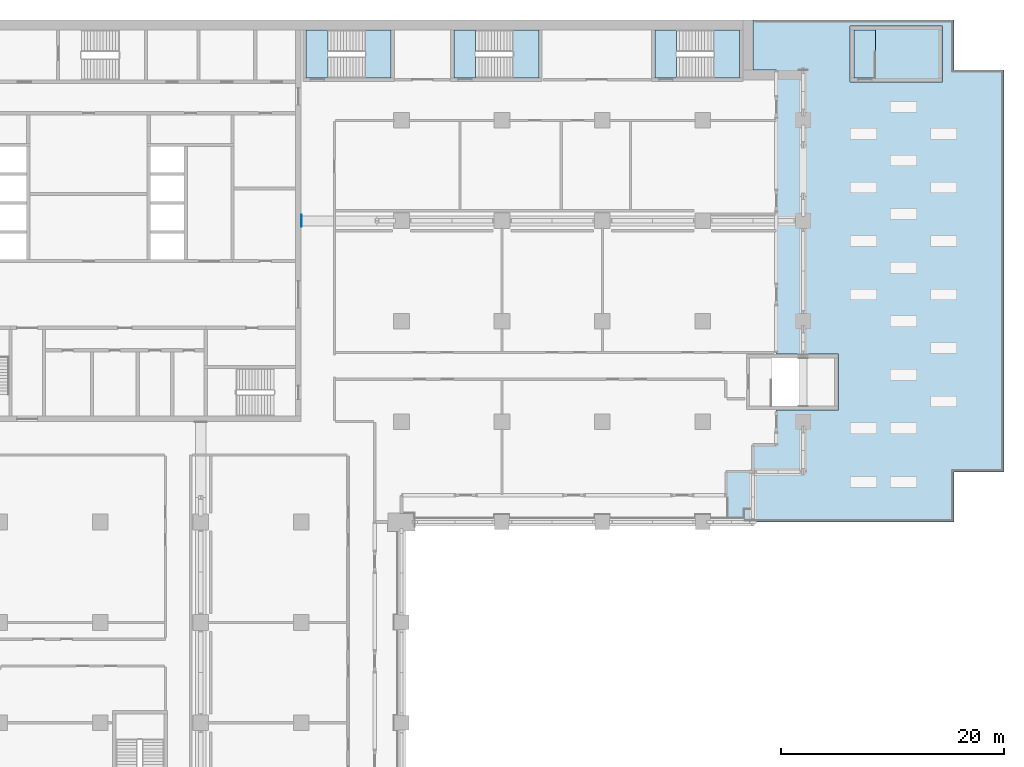
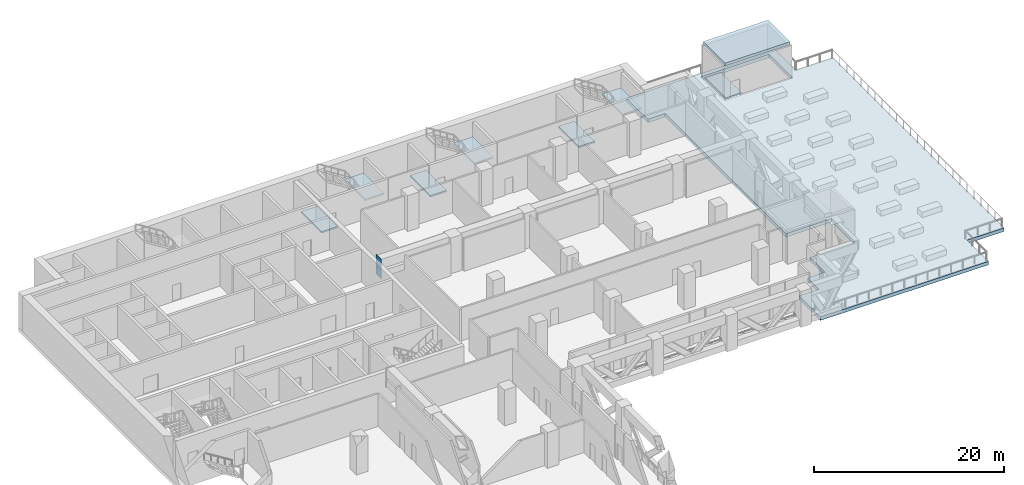
# One storey, part 7 of 24: 9 slabs, 2 plates, 3 elements without a shape of their own.
"""IFC4 building model written with IfcOpenShell, lengths in metres."""

import ifcopenshell
import ifcopenshell.guid

model = None  # the IFC model being written
_history = None  # IfcOwnerHistory: only IFC2X3 demands one
_inside = {}  # id of a spatial element -> (the spatial element, [elements in it])
_under = {}  # id of a project, library or spatial element -> (it, [spatial elements below it])
_declared = {}  # id of a project -> (the project, [libraries it declares])
_typed = {}  # id of a type object -> (the type object, [elements of that type])
_made_of = {}  # id of a material, layer set ... -> (it, [elements and type objects made of it])


def new_model(schema):
    """Start an empty IFC model of exactly this schema.

    Asked for "IFC4X3", IfcOpenShell would pick the latest addendum, in which some entities
    have other attributes; the version numbers below select the first issue.
    IFC2X3 requires an IfcOwnerHistory on every rooted entity: one is made here for all.
    """
    global model, _history
    if schema == "IFC4X3":
        model = ifcopenshell.file(schema_version=(4, 3, 0, 0))
    else:
        model = ifcopenshell.file(schema=schema)
    _inside.clear()
    _under.clear()
    _declared.clear()
    _typed.clear()
    _made_of.clear()
    _history = None
    if model.schema == "IFC2X3":
        org = make("IfcOrganization", Name="unknown")
        user = make(
            "IfcPersonAndOrganization",
            ThePerson=make("IfcPerson", FamilyName="unknown"),
            TheOrganization=org,
        )
        app = make(
            "IfcApplication",
            ApplicationDeveloper=org,
            Version="unknown",
            ApplicationFullName="unknown",
            ApplicationIdentifier="unknown",
        )
        _history = make(
            "IfcOwnerHistory",
            OwningUser=user,
            OwningApplication=app,
            ChangeAction="ADDED",
            CreationDate=0,
        )
    return model


def make(cls, **values):
    """One entity of the class cls with the attributes given. An attribute that is None is left unset."""
    return model.create_entity(
        cls, **{name: value for name, value in values.items() if value is not None}
    )


def rooted(cls, **values):
    """An entity with a GlobalId (a new one), such as an element, a storey or a relation."""
    return make(cls, GlobalId=ifcopenshell.guid.new(), OwnerHistory=_history, **values)


def si_unit(unit_type, name, prefix=None):
    """IfcSIUnit, for example si_unit("LENGTHUNIT", "METRE", prefix="MILLI")."""
    return make("IfcSIUnit", UnitType=unit_type, Prefix=prefix, Name=name)


def assignment(units):
    """IfcUnitAssignment: the units of a project."""
    return None if units is None else make("IfcUnitAssignment", Units=units)


def point(xyz):
    """IfcCartesianPoint."""
    return None if xyz is None else make("IfcCartesianPoint", Coordinates=xyz)


def direction(xyz):
    """IfcDirection."""
    return None if xyz is None else make("IfcDirection", DirectionRatios=xyz)


def frame(location, z_axis=None, x_axis=None):
    """IfcAxis2Placement3D, a coordinate frame: its origin and axes. An axis left out is left unset."""
    return make(
        "IfcAxis2Placement3D",
        Location=point(location),
        Axis=direction(z_axis),
        RefDirection=direction(x_axis),
    )


def frame_2d(location, x_axis=None):
    """IfcAxis2Placement2D, a coordinate frame in the plane: its origin and x axis."""
    return make(
        "IfcAxis2Placement2D", Location=point(location), RefDirection=direction(x_axis)
    )


def origin():
    """The frame at (0, 0, 0) with its axes left unset."""
    return frame((0.0, 0.0, 0.0))


def origin_2d():
    """The frame at (0, 0) in the plane with its x axis left unset."""
    return frame_2d((0.0, 0.0))


def place(relative_to, where):
    """IfcLocalPlacement: puts the frame where relative to a parent placement (None: the world)."""
    return make(
        "IfcLocalPlacement", PlacementRelTo=relative_to, RelativePlacement=where
    )


def context(
    kind, dimensions, precision=None, world=None, true_north=None, identifier=None
):
    """IfcGeometricRepresentationContext, for example the 3D "Model" context."""
    return make(
        "IfcGeometricRepresentationContext",
        ContextIdentifier=identifier,
        ContextType=kind,
        CoordinateSpaceDimension=dimensions,
        Precision=precision,
        WorldCoordinateSystem=world,
        TrueNorth=true_north,
    )


def subcontext(parent, identifier, kind, view, scale=None):
    """IfcGeometricRepresentationSubContext, for example "Body" below "Model"."""
    return make(
        "IfcGeometricRepresentationSubContext",
        ContextIdentifier=identifier,
        ContextType=kind,
        ParentContext=parent,
        TargetScale=scale,
        TargetView=view,
    )


def project(units=None, contexts=None):
    """IfcProject with its units and contexts."""
    return rooted(
        "IfcProject",
        Name="project",
        RepresentationContexts=contexts,
        UnitsInContext=assignment(units),
    )


def spatial(cls, under=None, at=None, **own):
    """A site, building, storey or space (cls), placed at a placement, below another one or the project."""
    s = rooted(cls, ObjectPlacement=at, **own)
    if under is not None:
        _under.setdefault(under.id(), (under, []))[1].append(s)
    return s


def polyline(points):
    """IfcPolyline through the points."""
    return make("IfcPolyline", Points=[point(p) for p in points])


def profile(cls, at=None, kind="AREA", **sizes):
    """A parametric profile (cls). Its sizes go by their IFC names, for example OverallWidth=200.0."""
    return make(cls, ProfileType=kind, Position=at, **sizes)


def rectangle(**sizes):
    """IfcRectangleProfileDef."""
    return profile("IfcRectangleProfileDef", **sizes)


def outline(outer, holes=None, kind="AREA"):
    """IfcArbitraryClosedProfileDef: a profile drawn as a closed curve; with holes, ...WithVoids."""
    if holes is None:
        return make("IfcArbitraryClosedProfileDef", ProfileType=kind, OuterCurve=outer)
    return make(
        "IfcArbitraryProfileDefWithVoids",
        ProfileType=kind,
        OuterCurve=outer,
        InnerCurves=holes,
    )


def extrude(swept, where, along, depth):
    """IfcExtrudedAreaSolid: the profile swept, set in the frame where, extruded along a direction by depth."""
    return make(
        "IfcExtrudedAreaSolid",
        SweptArea=swept,
        Position=where,
        ExtrudedDirection=direction(along),
        Depth=depth,
    )


def shape(context_of_items, identifier, shape_type, items):
    """IfcShapeRepresentation: the items that make up one representation, for example the "Body"."""
    return make(
        "IfcShapeRepresentation",
        ContextOfItems=context_of_items,
        RepresentationIdentifier=identifier,
        RepresentationType=shape_type,
        Items=items,
    )


def material(Name=None, Category=None):
    """IfcMaterial."""
    return make("IfcMaterial", Name=Name, Category=Category)


def layer(
    of_material, thickness, ventilated=None, Name=None, Category=None, Priority=None
):
    """IfcMaterialLayer: one layer of a wall or slab, of a material (None: an air gap)."""
    return make(
        "IfcMaterialLayer",
        Material=of_material,
        LayerThickness=thickness,
        IsVentilated=ventilated,
        Name=Name,
        Category=Category,
        Priority=Priority,
    )


def layer_set(layers, Name=None):
    """IfcMaterialLayerSet."""
    return make("IfcMaterialLayerSet", MaterialLayers=layers, LayerSetName=Name)


def made_of(thing, what):
    """Note that an element or type object is made of a material, layer set ...; save() writes the relation."""
    if what is not None:
        _made_of.setdefault(what.id(), (what, []))[1].append(thing)
    return thing


def type_object(cls, material=None, **own):
    """A type object (cls), such as IfcWallType, which elements share."""
    return made_of(rooted(cls, **own), material)


def element(
    cls,
    number,
    at=None,
    inside=None,
    cuts=None,
    type_object=None,
    material=None,
    context=None,
    identifier="Body",
    shape_type=None,
    held_by="IfcProductDefinitionShape",
    body=None,
    shapes=None,
    **own,
):
    """One element of the class cls, such as IfcWall. Its Tag is "e" and its number.

    at: its placement. inside: the storey or other place that contains it. cuts: it is an
    opening in that element (IfcRelVoidsElement). A single representation is given by context,
    identifier, shape_type and body (its items); several are given by shapes. held_by: the class
    of the entity that holds the representations. save() writes the other relations.
    """
    e = rooted(cls, Tag="e%d" % number, ObjectPlacement=at, **own)
    if body is not None:
        shapes = [shape(context, identifier, shape_type, body)]
    if shapes is not None:
        e.Representation = make(held_by, Representations=shapes)
    if inside is not None:
        _inside.setdefault(inside.id(), (inside, []))[1].append(e)
    if cuts is not None:
        rooted(
            "IfcRelVoidsElement", RelatingBuildingElement=cuts, RelatedOpeningElement=e
        )
    if type_object is not None:
        _typed.setdefault(type_object.id(), (type_object, []))[1].append(e)
    return made_of(e, material)


def aggregate(whole, parts):
    """IfcRelAggregates: a whole, such as a stair, and the parts it consists of."""
    return rooted("IfcRelAggregates", RelatingObject=whole, RelatedObjects=parts)


def save(model, path):
    """Write the relations noted so far, then the file.

    IfcRelAggregates (storeys below a building ...), IfcRelContainedInSpatialStructure (elements
    in a storey), IfcRelDefinesByType, IfcRelAssociatesMaterial and IfcRelDeclares: one each for
    every whole, place, type object, material and project.
    """
    for whole, parts in _under.values():
        aggregate(whole, parts)
    for where, things in _inside.values():
        rooted(
            "IfcRelContainedInSpatialStructure",
            RelatedElements=things,
            RelatingStructure=where,
        )
    for kind, things in _typed.values():
        rooted("IfcRelDefinesByType", RelatedObjects=things, RelatingType=kind)
    for what, things in _made_of.values():
        rooted("IfcRelAssociatesMaterial", RelatedObjects=things, RelatingMaterial=what)
    for by, libraries in _declared.values():
        rooted("IfcRelDeclares", RelatingContext=by, RelatedDefinitions=libraries)
    model.write(path)


model = new_model("IFC4")

# Units and contexts
model_context = context("Model", 3, precision=1e-05, world=origin(), true_north=direction((0.0, 1.0)))
body_context = subcontext(model_context, "Body", "Model", "MODEL_VIEW")
ifc_project = project(units=[si_unit("LENGTHUNIT", "METRE"), si_unit("AREAUNIT", "SQUARE_METRE"), si_unit("VOLUMEUNIT", "CUBIC_METRE"), si_unit("PLANEANGLEUNIT", "RADIAN"), si_unit("MASSUNIT", "GRAM", prefix="KILO")], contexts=[model_context])

# Site, building, storey
site_placement = place(None, origin())
site = spatial("IfcSite", under=ifc_project, at=site_placement, CompositionType="ELEMENT")
building_placement = place(site_placement, origin())
building = spatial("IfcBuilding", under=site, at=building_placement, Name="Hunhe Ridgeline Campus", CompositionType="ELEMENT")
storey_placement = place(building_placement, frame((0.0, 0.0, 80.199951171875)))
storey = spatial("IfcBuildingStorey", under=building, at=storey_placement, Name="L19", CompositionType="ELEMENT", Elevation=80.199951171875)

# Plates
ifc_material_1 = material(Name="Steel Q420", Category="steel")
ifc_layer_1 = layer(ifc_material_1, 0.0400390625)
ifc_layer_set_1 = layer_set([ifc_layer_1], Name="Cast-in plate 1100x1000x40 Steel Q420")
plate_type_1 = type_object("IfcPlateType", Name="Cast-in plate 1100x1000x40 Steel Q420", PredefinedType="SHEET", material=ifc_layer_set_1)
plate_1_placement = place(storey_placement, frame((36.02001953125, 81.0, 2.199951171875), z_axis=(0.0, 0.0, 1.0), x_axis=(1.0, 0.0, 0.0)))
element("IfcPlate", 1, at=plate_1_placement, inside=storey, type_object=plate_type_1, Name="Cast-in plate OR1 bottom chord L19", PredefinedType="SHEET", context=body_context, shape_type="SweptSolid", body=[
    extrude(rectangle(XDim=0.0400390625, YDim=1.10009765625, at=origin_2d()), origin(), (0.0, 0.0, 1.0), 1.0),
])
ifc_layer_2 = layer(ifc_material_1, 0.0400390625)
ifc_layer_set_2 = layer_set([ifc_layer_2], Name="Cast-in plate 1100x1400x40 Steel Q420")
plate_type_2 = type_object("IfcPlateType", Name="Cast-in plate 1100x1400x40 Steel Q420", PredefinedType="SHEET", material=ifc_layer_set_2)
plate_2_placement = place(storey_placement, frame((36.02001953125, 81.0, 3.300048828125), z_axis=(0.0, 0.0, 1.0), x_axis=(1.0, 0.0, 0.0)))
element("IfcPlate", 2, at=plate_2_placement, inside=storey, type_object=plate_type_2, Name="Cast-in plate OR1 top chord L19", PredefinedType="SHEET", context=body_context, shape_type="SweptSolid", body=[
    extrude(rectangle(XDim=0.0400390625, YDim=1.10009765625, at=origin_2d()), origin(), (0.0, 0.0, 1.0), 1.39990234375),
])

# Slab
ifc_material_2 = material(Name="Concrete C40", Category="concrete")
ifc_layer_3 = layer(ifc_material_2, 0.35009765625)
ifc_layer_set_3 = layer_set([ifc_layer_3], Name="Reinforced concrete stair head roof slab Concrete C40")
slab_type_1 = type_object("IfcSlabType", Name="Reinforced concrete stair head roof slab Concrete C40", PredefinedType="ROOF", material=ifc_layer_set_3)
slab_1_placement = place(storey_placement, frame((0.0, 0.0, 4.199951171875)))
element("IfcSlab", 3, at=slab_1_placement, inside=storey, type_object=slab_type_1, Name="Stair E4 head roof", PredefinedType="ROOF", context=body_context, shape_type="SweptSolid", body=[
    extrude(outline(polyline([(85.39990234375, 98.25), (93.300048828125, 98.25), (93.300048828125, 93.64990234375), (85.39990234375, 93.64990234375), (85.39990234375, 98.25)])), origin(), (0.0, 0.0, 1.0), 0.400146484375),
])

# Stair, slab
stair_type = type_object("IfcStairType", Name="Reinforced concrete dog-leg stair 1950 Concrete C40", PredefinedType="HALF_TURN_STAIR", material=ifc_material_2)
stair_1_placement = place(storey_placement, origin())
stair_1 = element("IfcStair", 4, at=stair_1_placement, inside=storey, type_object=stair_type, Name="L19 E1", PredefinedType="HALF_TURN_STAIR")
ifc_layer_4 = layer(ifc_material_2, 0.199951171875)
ifc_layer_set_4 = layer_set([ifc_layer_4], Name="Reinforced concrete stair landing 200 Concrete C40")
slab_type_2 = type_object("IfcSlabType", Name="Reinforced concrete stair landing 200 Concrete C40", PredefinedType="LANDING", material=ifc_layer_set_4)
slab_2_placement = place(storey_placement, frame((0.0, 0.0, 2.10009765625)))
slab_2 = element("IfcSlab", 5, at=slab_2_placement, type_object=slab_type_2, Name="ST5 landing 1", PredefinedType="LANDING", context=body_context, shape_type="SweptSolid", body=[
    extrude(outline(polyline([(41.760009765625, 93.800048828125), (44.050048828125, 93.800048828125), (44.050048828125, 98.10009765625), (41.760009765625, 98.10009765625), (41.760009765625, 93.800048828125)])), origin(), (0.0, 0.0, 1.0), 0.199951171875),
])
aggregate(stair_1, [slab_2])

# Slab
slab_3_placement = place(storey_placement, frame((0.0, 0.0, -0.199951171875)))
element("IfcSlab", 6, at=slab_3_placement, inside=storey, type_object=slab_type_2, Name="L19 stair E1 floor landing", PredefinedType="LANDING", context=body_context, shape_type="SweptSolid", body=[
    extrude(outline(polyline([(36.449951171875, 93.800048828125), (38.39990234375, 93.800048828125), (38.39990234375, 98.10009765625), (36.449951171875, 98.10009765625), (36.449951171875, 93.800048828125)])), origin(), (0.0, 0.0, 1.0), 0.199951171875),
])

# Stair, slab
stair_2_placement = place(storey_placement, origin())
stair_2 = element("IfcStair", 7, at=stair_2_placement, inside=storey, type_object=stair_type, Name="L19 E2", PredefinedType="HALF_TURN_STAIR")
slab_4_placement = place(storey_placement, frame((0.0, 0.0, 2.10009765625)))
slab_4 = element("IfcSlab", 8, at=slab_4_placement, type_object=slab_type_2, Name="ST6 landing 1", PredefinedType="LANDING", context=body_context, shape_type="SweptSolid", body=[
    extrude(outline(polyline([(55.010009765625, 93.800048828125), (57.300048828125, 93.800048828125), (57.300048828125, 98.10009765625), (55.010009765625, 98.10009765625), (55.010009765625, 93.800048828125)])), origin(), (0.0, 0.0, 1.0), 0.199951171875),
])
aggregate(stair_2, [slab_4])

# Slab
slab_5_placement = place(storey_placement, frame((0.0, 0.0, -0.199951171875)))
element("IfcSlab", 9, at=slab_5_placement, inside=storey, type_object=slab_type_2, Name="L19 stair E2 floor landing", PredefinedType="LANDING", context=body_context, shape_type="SweptSolid", body=[
    extrude(outline(polyline([(49.699951171875, 93.800048828125), (51.64990234375, 93.800048828125), (51.64990234375, 98.10009765625), (49.699951171875, 98.10009765625), (49.699951171875, 93.800048828125)])), origin(), (0.0, 0.0, 1.0), 0.199951171875),
])

# Stair, slab
stair_3_placement = place(storey_placement, origin())
stair_3 = element("IfcStair", 10, at=stair_3_placement, inside=storey, type_object=stair_type, Name="L19 E3", PredefinedType="HALF_TURN_STAIR")
slab_6_placement = place(storey_placement, frame((0.0, 0.0, 2.10009765625)))
slab_6 = element("IfcSlab", 11, at=slab_6_placement, type_object=slab_type_2, Name="ST7 landing 1", PredefinedType="LANDING", context=body_context, shape_type="SweptSolid", body=[
    extrude(outline(polyline([(73.010009765625, 93.800048828125), (75.300048828125, 93.800048828125), (75.300048828125, 98.10009765625), (73.010009765625, 98.10009765625), (73.010009765625, 93.800048828125)])), origin(), (0.0, 0.0, 1.0), 0.199951171875),
])
aggregate(stair_3, [slab_6])

# Slabs
slab_7_placement = place(storey_placement, frame((0.0, 0.0, -0.199951171875)))
element("IfcSlab", 12, at=slab_7_placement, inside=storey, type_object=slab_type_2, Name="L19 stair E3 floor landing", PredefinedType="LANDING", context=body_context, shape_type="SweptSolid", body=[
    extrude(outline(polyline([(67.699951171875, 93.800048828125), (69.64990234375, 93.800048828125), (69.64990234375, 98.10009765625), (67.699951171875, 98.10009765625), (67.699951171875, 93.800048828125)])), origin(), (0.0, 0.0, 1.0), 0.199951171875),
])
slab_8_placement = place(storey_placement, frame((0.0, 0.0, -0.199951171875)))
element("IfcSlab", 13, at=slab_8_placement, inside=storey, type_object=slab_type_2, Name="L19 stair E4 floor landing", PredefinedType="LANDING", context=body_context, shape_type="SweptSolid", body=[
    extrude(outline(polyline([(85.550048828125, 93.800048828125), (87.5, 93.800048828125), (87.5, 98.10009765625), (85.550048828125, 98.10009765625), (85.550048828125, 93.800048828125)])), origin(), (0.0, 0.0, 1.0), 0.199951171875),
])
ifc_layer_5 = layer(ifc_material_2, 0.449951171875)
ifc_layer_set_5 = layer_set([ifc_layer_5], Name="Terrace slab 450 Concrete C40")
slab_type_3 = type_object("IfcSlabType", Name="Terrace slab 450 Concrete C40", PredefinedType="FLOOR", material=ifc_layer_set_5)
slab_9_placement = place(storey_placement, frame((0.0, 0.0, -0.449951171875)))
element("IfcSlab", 14, at=slab_9_placement, inside=storey, type_object=slab_type_3, Name="Terrace slab L19 1", PredefinedType="FLOOR", context=body_context, shape_type="SweptSolid", body=[
    extrude(outline(polyline([(84.14990234375, 64.050048828125), (78.60009765625, 64.050048828125), (78.60009765625, 60.90087890625), (76.5, 60.89990234375), (76.49951171875, 58.5), (74.10009765625, 58.5), (74.10009765625, 54.0), (94.5, 54.0), (94.500244140625, 58.499755859375), (99.0, 58.5), (99.0, 94.5), (94.500244140625, 94.500244140625), (94.5, 99.0), (76.5, 99.0), (76.5, 94.5), (78.60009765625, 94.4990234375), (78.60009765625, 69.050048828125), (84.14990234375, 69.050048828125), (84.14990234375, 64.050048828125)]), holes=[polyline([(85.199951171875, 93.449951171875), (93.5, 93.449951171875), (93.5, 98.449951171875), (85.199951171875, 98.449951171875), (85.199951171875, 93.449951171875)])]), origin(), (0.0, 0.0, 1.0), 0.449951171875),
])

save(model, "model.ifc")
